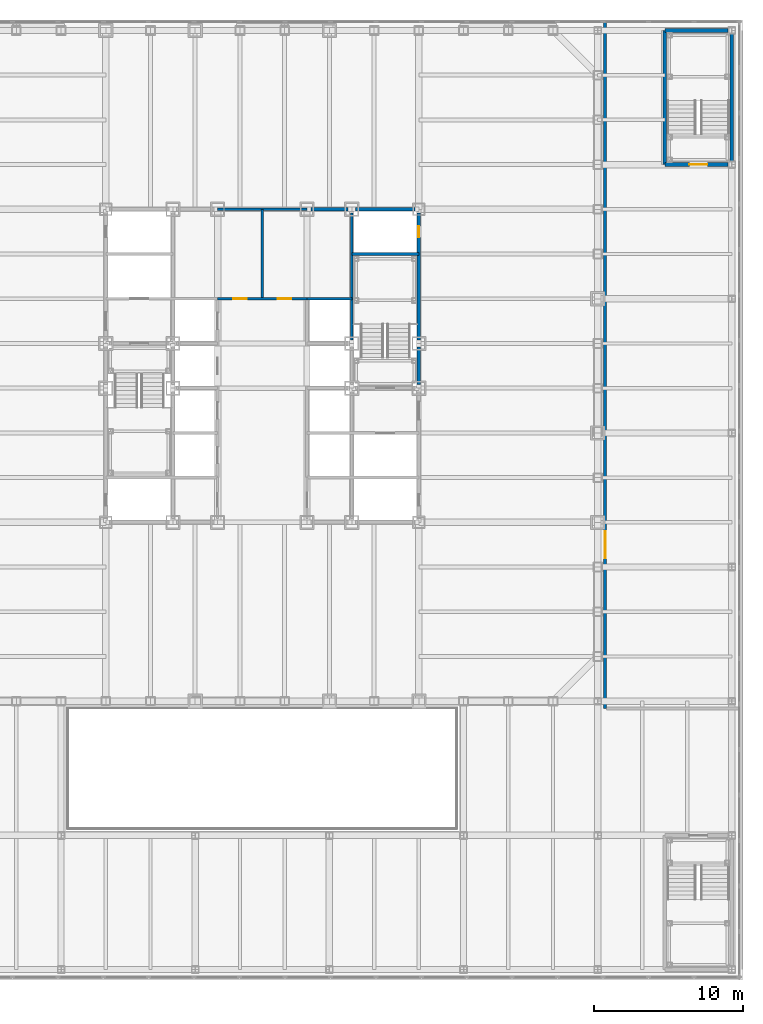
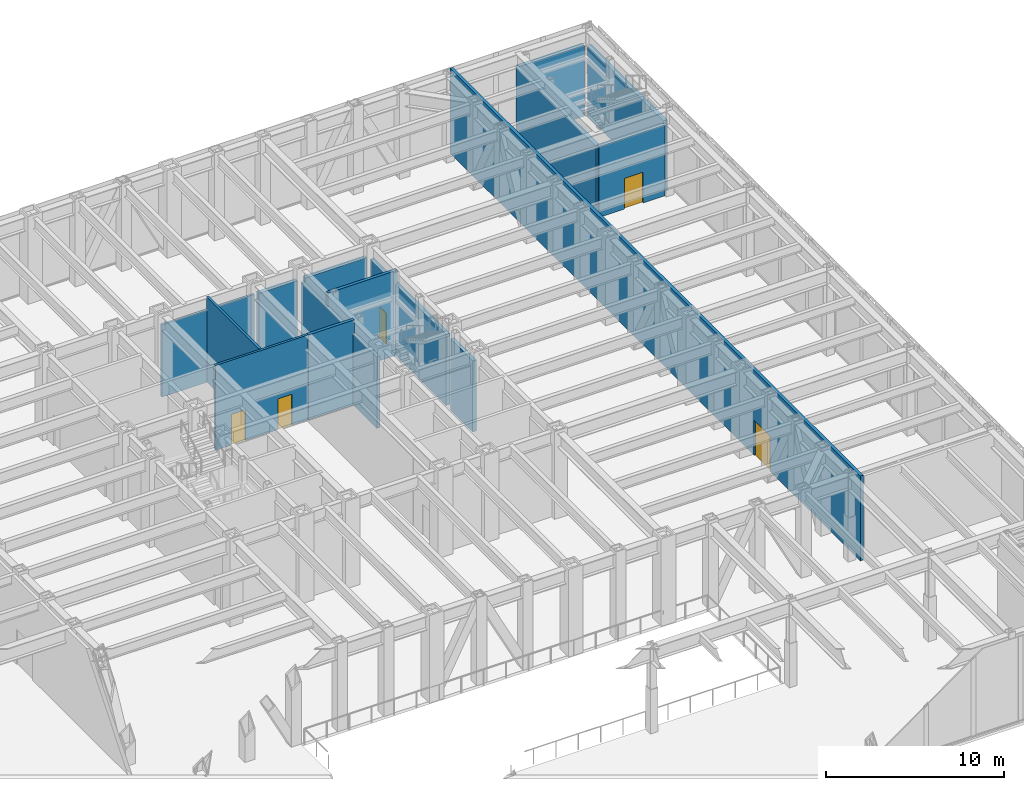
# One storey, part 17 of 32: 15 walls, 5 doors, 5 openings.
"""IFC4 building model written with IfcOpenShell, lengths in metres."""

from ifc_helpers import new_model, si_unit, direction, frame, frame_2d, origin, place, context, subcontext, project, spatial, rectangle, extrude, material, layer, layer_set, type_object, element, fill, save


model = new_model("IFC4")

# Units and contexts
model_context = context("Model", 3, precision=1e-05, world=origin(), true_north=direction((0.0, 1.0)))
body_context = subcontext(model_context, "Body", "Model", "MODEL_VIEW")
ifc_project = project(units=[si_unit("LENGTHUNIT", "METRE"), si_unit("AREAUNIT", "SQUARE_METRE"), si_unit("VOLUMEUNIT", "CUBIC_METRE"), si_unit("PLANEANGLEUNIT", "RADIAN"), si_unit("MASSUNIT", "GRAM", prefix="KILO")], contexts=[model_context])

# Site, building, storey
site_placement = place(None, origin())
site = spatial("IfcSite", under=ifc_project, at=site_placement, CompositionType="ELEMENT")
building_placement = place(site_placement, origin())
building = spatial("IfcBuilding", under=site, at=building_placement, Name="Chuquiago Exchange Tower", CompositionType="ELEMENT")
storey_placement = place(building_placement, frame((0.0, 0.0, 13.5)))
storey = spatial("IfcBuildingStorey", under=building, at=storey_placement, Name="L02", CompositionType="ELEMENT", Elevation=13.5)

# Walls
ifc_material_1 = material(Name="Concrete masonry, fully grouted", Category="masonry")
ifc_layer_1 = layer(ifc_material_1, 0.25)
ifc_layer_set_1 = layer_set([ifc_layer_1], Name="W1 core wall 250")
wall_type_1 = type_object("IfcWallType", Name="W1 core wall 250", PredefinedType="SOLIDWALL", material=ifc_layer_set_1)
wall_1_placement = place(storey_placement, frame((25.75, 33.0, 0.0), z_axis=(0.0, 0.0, 1.0), x_axis=(1.0, 0.0, 0.0)))
element("IfcWall", 1, at=wall_1_placement, inside=storey, type_object=wall_type_1, Name="CW-L02-12-0", PredefinedType="SOLIDWALL", context=body_context, shape_type="SweptSolid", body=[
    extrude(rectangle(XDim=2.5, YDim=0.25, at=frame_2d((1.25, 0.0))), origin(), (0.0, 0.0, 1.0), 4.94140625),
])
wall_2_placement = place(storey_placement, frame((28.75, 33.0, 0.0), z_axis=(0.0, 0.0, 1.0), x_axis=(1.0, 0.0, 0.0)))
element("IfcWall", 2, at=wall_2_placement, inside=storey, type_object=wall_type_1, Name="CW-L02-12-1", PredefinedType="SOLIDWALL", context=body_context, shape_type="SweptSolid", body=[
    extrude(rectangle(XDim=4.0, YDim=0.25, at=frame_2d((2.0, 0.0))), origin(), (0.0, 0.0, 1.0), 4.94140625),
])
wall_3_placement = place(storey_placement, frame((33.0, 21.25, 0.0), z_axis=(0.0, 0.0, 1.0), x_axis=(0.0, 1.0, 0.0)))
element("IfcWall", 3, at=wall_3_placement, inside=storey, type_object=wall_type_1, Name="CW-L02-25-1", PredefinedType="SOLIDWALL", context=body_context, shape_type="SweptSolid", body=[
    extrude(rectangle(XDim=2.5, YDim=0.25, at=frame_2d((1.25, 0.0))), origin(), (0.0, 0.0, 1.0), 4.872802734375),
])

# Wall, opening, door
wall_4_placement = place(storey_placement, frame((33.0, 24.25, 0.0), z_axis=(0.0, 0.0, 1.0), x_axis=(0.0, 1.0, 0.0)))
wall_4 = element("IfcWall", 4, at=wall_4_placement, inside=storey, type_object=wall_type_1, Name="CW-L02-25-2", PredefinedType="SOLIDWALL", context=body_context, shape_type="SweptSolid", body=[
    extrude(rectangle(XDim=8.5, YDim=0.25, at=frame_2d((4.25, 0.0))), origin(), (0.0, 0.0, 1.0), 4.872802734375),
])
opening_1_placement = place(wall_4_placement, frame((6.875, 0.0, 0.0)))
opening_1 = element("IfcOpeningElement", 5, at=opening_1_placement, cuts=wall_4, Name="Opening L02-010", PredefinedType="OPENING", context=body_context, shape_type="SweptSolid", body=[
    extrude(rectangle(XDim=0.75, YDim=2.10009765625, at=frame_2d((0.375, 1.050048828125))), frame((0.0, 0.135009765625, 0.0), z_axis=(0.0, -1.0, 0.0), x_axis=(1.0, 0.0, 0.0)), (0.0, 0.0, 1.0), 0.27001953125),
])
ifc_material_2 = material(Name="Steel door, painted", Category="steel")
door_type_1 = type_object("IfcDoorType", Name="D6 riser access door 750x2100", OperationType="SINGLE_SWING_LEFT", PredefinedType="DOOR", material=ifc_material_2)
door_1_placement = place(opening_1_placement, frame((0.75, 0.0, 0.0), z_axis=(0.0, 0.0, 1.0), x_axis=(-1.0, 0.0, 0.0)))
door_1 = element("IfcDoor", 6, at=door_1_placement, inside=storey, type_object=door_type_1, Name="Riser RE2 door", OperationType="SINGLE_SWING_LEFT", OverallHeight=2.10009765625, OverallWidth=0.75, PredefinedType="DOOR", context=body_context, shape_type="SweptSolid", body=[
    extrude(rectangle(XDim=0.75, YDim=2.10009765625, at=frame_2d((0.375, 1.050048828125))), frame((0.0, 0.02490234375, 0.0), z_axis=(0.0, -1.0, 0.0), x_axis=(1.0, 0.0, 0.0)), (0.0, 0.0, 1.0), 0.050048828125),
])
fill(opening_1, door_1)

ifc_material_3 = material(Name="Concrete masonry, fully grouted", Category="masonry")
ifc_layer_2 = layer(ifc_material_3, 0.25)
ifc_layer_set_2 = layer_set([ifc_layer_2], Name="W10 podium stair wall 250")
wall_type_2 = type_object("IfcWallType", Name="W10 podium stair wall 250", PredefinedType="SOLIDWALL", material=ifc_layer_set_2)
wall_5_placement = place(storey_placement, frame((49.5, 36.0, 0.0), z_axis=(0.0, 0.0, 1.0), x_axis=(1.0, 0.0, 0.0)))
wall_5 = element("IfcWall", 7, at=wall_5_placement, inside=storey, type_object=wall_type_2, Name="PSW-L02-PS4-00", PredefinedType="SOLIDWALL", context=body_context, shape_type="SweptSolid", body=[
    extrude(rectangle(XDim=4.25, YDim=0.25, at=frame_2d((2.125, 0.0))), origin(), (0.0, 0.0, 1.0), 4.8525390625),
])
opening_2_placement = place(wall_5_placement, frame((1.64990234375, 0.0, 0.0)))
opening_2 = element("IfcOpeningElement", 8, at=opening_2_placement, cuts=wall_5, Name="Opening L02-024", PredefinedType="OPENING", context=body_context, shape_type="SweptSolid", body=[
    extrude(rectangle(XDim=1.199951171875, YDim=2.10009765625, at=frame_2d((0.60009765625, 1.050048828125))), frame((0.0, 0.135009765625, 0.0), z_axis=(0.0, -1.0, 0.0), x_axis=(1.0, 0.0, 0.0)), (0.0, 0.0, 1.0), 0.27001953125),
])
ifc_material_4 = material(Name="Steel door, painted", Category="steel")
door_type_2 = type_object("IfcDoorType", Name="D4 stair door 1200x2100", OperationType="SINGLE_SWING_LEFT", PredefinedType="DOOR", material=ifc_material_4)
door_2_placement = place(opening_2_placement, origin())
door_2 = element("IfcDoor", 9, at=door_2_placement, inside=storey, type_object=door_type_2, Name="Stair PS4 door", OperationType="SINGLE_SWING_LEFT", OverallHeight=2.10009765625, OverallWidth=1.199951171875, PredefinedType="DOOR", context=body_context, shape_type="SweptSolid", body=[
    extrude(rectangle(XDim=1.199951171875, YDim=2.10009765625, at=frame_2d((0.60009765625, 1.050048828125))), frame((0.0, 0.02490234375, 0.0), z_axis=(0.0, -1.0, 0.0), x_axis=(1.0, 0.0, 0.0)), (0.0, 0.0, 1.0), 0.050048828125),
])
fill(opening_2, door_2)

# Walls
wall_6_placement = place(storey_placement, frame((54.0, 36.25, 0.0), z_axis=(0.0, 0.0, 1.0), x_axis=(0.0, 1.0, 0.0)))
element("IfcWall", 10, at=wall_6_placement, inside=storey, type_object=wall_type_2, Name="PSW-L02-PS4-10", PredefinedType="SOLIDWALL", context=body_context, shape_type="SweptSolid", body=[
    extrude(rectangle(XDim=8.5, YDim=0.25, at=frame_2d((4.25, 0.0))), origin(), (0.0, 0.0, 1.0), 4.8525390625),
])
wall_7_placement = place(storey_placement, frame((49.5, 45.0, 0.0), z_axis=(0.0, 0.0, 1.0), x_axis=(1.0, 0.0, 0.0)))
element("IfcWall", 11, at=wall_7_placement, inside=storey, type_object=wall_type_2, Name="PSW-L02-PS4-20", PredefinedType="SOLIDWALL", context=body_context, shape_type="SweptSolid", body=[
    extrude(rectangle(XDim=4.25, YDim=0.25, at=frame_2d((2.125, 0.0))), origin(), (0.0, 0.0, 1.0), 4.8525390625),
])
wall_8_placement = place(storey_placement, frame((49.5, 36.0, 0.0), z_axis=(0.0, 0.0, 1.0), x_axis=(0.0, 1.0, 0.0)))
element("IfcWall", 12, at=wall_8_placement, inside=storey, type_object=wall_type_2, Name="PSW-L02-PS4-30", PredefinedType="SOLIDWALL", context=body_context, shape_type="SweptSolid", body=[
    extrude(rectangle(XDim=9.0, YDim=0.25, at=frame_2d((4.5, 0.0))), origin(), (0.0, 0.0, 1.0), 4.8525390625),
])
ifc_material_5 = material(Name="Concrete masonry, fully grouted", Category="masonry")
ifc_layer_3 = layer(ifc_material_5, 0.199951171875)
ifc_layer_set_3 = layer_set([ifc_layer_3], Name="W2 shaft wall 200")
wall_type_3 = type_object("IfcWallType", Name="W2 shaft wall 200", PredefinedType="SOLIDWALL", material=ifc_layer_set_3)
wall_9_placement = place(storey_placement, frame((25.5, 27.0, 0.0), z_axis=(0.0, 0.0, 1.0), x_axis=(1.0, 0.0, 0.0)))
element("IfcWall", 13, at=wall_9_placement, inside=storey, type_object=wall_type_3, Name="CW-L02-08-0", PredefinedType="SOLIDWALL", context=body_context, shape_type="SweptSolid", body=[
    extrude(rectangle(XDim=3.0, YDim=0.199951171875, at=frame_2d((1.5, 0.0))), origin(), (0.0, 0.0, 1.0), 5.800048828125),
])
wall_10_placement = place(storey_placement, frame((28.5, 30.0, 0.0), z_axis=(0.0, 0.0, 1.0), x_axis=(1.0, 0.0, 0.0)))
element("IfcWall", 14, at=wall_10_placement, inside=storey, type_object=wall_type_3, Name="CW-L02-10-0", PredefinedType="SOLIDWALL", context=body_context, shape_type="SweptSolid", body=[
    extrude(rectangle(XDim=4.5, YDim=0.199951171875, at=frame_2d((2.25, 0.0))), origin(), (0.0, 0.0, 1.0), 5.800048828125),
])
wall_11_placement = place(storey_placement, frame((28.5, 24.25, 0.0), z_axis=(0.0, 0.0, 1.0), x_axis=(0.0, 1.0, 0.0)))
element("IfcWall", 15, at=wall_11_placement, inside=storey, type_object=wall_type_3, Name="CW-L02-24-2", PredefinedType="SOLIDWALL", context=body_context, shape_type="SweptSolid", body=[
    extrude(rectangle(XDim=8.5, YDim=0.199951171875, at=frame_2d((4.25, 0.0))), origin(), (0.0, 0.0, 1.0), 4.872802734375),
])

# Wall, openings, doors
ifc_material_6 = material(Name="Gypsum board on steel studs", Category="steel")
ifc_layer_4 = layer(ifc_material_6, 0.14990234375)
ifc_layer_set_4 = layer_set([ifc_layer_4], Name="W3 core partition 150")
wall_type_4 = type_object("IfcWallType", Name="W3 core partition 150", PredefinedType="PARTITIONING", material=ifc_layer_set_4)
wall_12_placement = place(storey_placement, frame((19.5, 27.0, 0.0), z_axis=(0.0, 0.0, 1.0), x_axis=(1.0, 0.0, 0.0)))
wall_12 = element("IfcWall", 16, at=wall_12_placement, inside=storey, type_object=wall_type_4, Name="CW-L02-TF", PredefinedType="PARTITIONING", context=body_context, shape_type="SweptSolid", body=[
    extrude(rectangle(XDim=6.0, YDim=0.14990234375, at=frame_2d((3.0, 0.0))), origin(), (0.0, 0.0, 1.0), 5.800048828125),
])
opening_3_placement = place(wall_12_placement, frame((1.050048828125, 0.0, 0.0)))
opening_3 = element("IfcOpeningElement", 17, at=opening_3_placement, cuts=wall_12, Name="Opening L02-011", PredefinedType="OPENING", context=body_context, shape_type="SweptSolid", body=[
    extrude(rectangle(XDim=0.89990234375, YDim=2.10009765625, at=frame_2d((0.449951171875, 1.050048828125))), frame((0.0, 0.0849609375, 0.0), z_axis=(0.0, -1.0, 0.0), x_axis=(1.0, 0.0, 0.0)), (0.0, 0.0, 1.0), 0.169921875),
])
opening_4_placement = place(wall_12_placement, frame((4.050048828125, 0.0, 0.0)))
opening_4 = element("IfcOpeningElement", 18, at=opening_4_placement, cuts=wall_12, Name="Opening L02-012", PredefinedType="OPENING", context=body_context, shape_type="SweptSolid", body=[
    extrude(rectangle(XDim=0.89990234375, YDim=2.10009765625, at=frame_2d((0.449951171875, 1.050048828125))), frame((0.0, 0.0849609375, 0.0), z_axis=(0.0, -1.0, 0.0), x_axis=(1.0, 0.0, 0.0)), (0.0, 0.0, 1.0), 0.169921875),
])
ifc_material_7 = material(Name="Timber door, laminate faced", Category="wood")
door_type_3 = type_object("IfcDoorType", Name="D7 toilet door 900x2100", OperationType="SINGLE_SWING_LEFT", PredefinedType="DOOR", material=ifc_material_7)
door_3_placement = place(opening_3_placement, origin())
door_3 = element("IfcDoor", 19, at=door_3_placement, inside=storey, type_object=door_type_3, Name="Male WC door", OperationType="SINGLE_SWING_RIGHT", OverallHeight=2.10009765625, OverallWidth=0.89990234375, PredefinedType="DOOR", context=body_context, shape_type="SweptSolid", body=[
    extrude(rectangle(XDim=0.89990234375, YDim=2.10009765625, at=frame_2d((0.449951171875, 1.050048828125))), frame((0.0, 0.02490234375, 0.0), z_axis=(0.0, -1.0, 0.0), x_axis=(1.0, 0.0, 0.0)), (0.0, 0.0, 1.0), 0.050048828125),
])
fill(opening_3, door_3)
door_4_placement = place(opening_4_placement, origin())
door_4 = element("IfcDoor", 20, at=door_4_placement, inside=storey, type_object=door_type_3, Name="Female WC door", OperationType="SINGLE_SWING_LEFT", OverallHeight=2.10009765625, OverallWidth=0.89990234375, PredefinedType="DOOR", context=body_context, shape_type="SweptSolid", body=[
    extrude(rectangle(XDim=0.89990234375, YDim=2.10009765625, at=frame_2d((0.449951171875, 1.050048828125))), frame((0.0, 0.02490234375, 0.0), z_axis=(0.0, -1.0, 0.0), x_axis=(1.0, 0.0, 0.0)), (0.0, 0.0, 1.0), 0.050048828125),
])
fill(opening_4, door_4)

# Walls
wall_13_placement = place(storey_placement, frame((22.5, 27.0, 0.0), z_axis=(0.0, 0.0, 1.0), x_axis=(0.0, 1.0, 0.0)))
element("IfcWall", 21, at=wall_13_placement, inside=storey, type_object=wall_type_4, Name="CW-L02-TM", PredefinedType="PARTITIONING", context=body_context, shape_type="SweptSolid", body=[
    extrude(rectangle(XDim=6.0, YDim=0.14990234375, at=frame_2d((3.0, 0.0))), origin(), (0.0, 0.0, 1.0), 5.800048828125),
])
wall_14_placement = place(storey_placement, frame((19.5, 33.0, 0.0), z_axis=(0.0, 0.0, 1.0), x_axis=(1.0, 0.0, 0.0)))
element("IfcWall", 22, at=wall_14_placement, inside=storey, type_object=wall_type_4, Name="CW-L02-TB", PredefinedType="PARTITIONING", context=body_context, shape_type="SweptSolid", body=[
    extrude(rectangle(XDim=6.0, YDim=0.14990234375, at=frame_2d((3.0, 0.0))), origin(), (0.0, 0.0, 1.0), 4.94140625),
])

# Wall, opening, door
ifc_material_8 = material(Name="Gypsum board on steel studs, double layer", Category="steel")
ifc_layer_5 = layer(ifc_material_8, 0.199951171875)
ifc_layer_set_5 = layer_set([ifc_layer_5], Name="W6 wing partition 200")
wall_type_5 = type_object("IfcWallType", Name="W6 wing partition 200", PredefinedType="PARTITIONING", material=ifc_layer_set_5)
wall_15_placement = place(storey_placement, frame((45.5, -0.5, 0.0), z_axis=(0.0, 0.0, 1.0), x_axis=(0.0, 1.0, 0.0)))
wall_15 = element("IfcWall", 23, at=wall_15_placement, inside=storey, type_object=wall_type_5, Name="WW-L02-E", PredefinedType="PARTITIONING", context=body_context, shape_type="SweptSolid", body=[
    extrude(rectangle(XDim=46.017578125, YDim=0.199951171875, at=frame_2d((23.0087890625, 0.0))), origin(), (0.0, 0.0, 1.0), 5.800048828125),
])
opening_5_placement = place(wall_15_placement, frame((10.10009765625, 0.0, 0.0)))
opening_5 = element("IfcOpeningElement", 24, at=opening_5_placement, cuts=wall_15, Name="Opening L02-020", PredefinedType="OPENING", context=body_context, shape_type="SweptSolid", body=[
    extrude(rectangle(XDim=1.800048828125, YDim=2.39990234375, at=frame_2d((0.89990234375, 1.199951171875))), frame((0.0, 0.10986328125, 0.0), z_axis=(0.0, -1.0, 0.0), x_axis=(1.0, 0.0, 0.0)), (0.0, 0.0, 1.0), 0.219970703125),
])
ifc_material_9 = material(Name="Timber door, laminate faced", Category="wood")
door_type_4 = type_object("IfcDoorType", Name="D10 double door 1800x2400", OperationType="DOUBLE_DOOR_DOUBLE_SWING", PredefinedType="DOOR", material=ifc_material_9)
door_5_placement = place(opening_5_placement, origin())
door_5 = element("IfcDoor", 25, at=door_5_placement, inside=storey, type_object=door_type_4, Name="Conference room door", OperationType="DOUBLE_DOOR_DOUBLE_SWING", OverallHeight=2.39990234375, OverallWidth=1.800048828125, PredefinedType="DOOR", context=body_context, shape_type="SweptSolid", body=[
    extrude(rectangle(XDim=1.800048828125, YDim=2.39990234375, at=frame_2d((0.89990234375, 1.199951171875))), frame((0.0, 0.02490234375, 0.0), z_axis=(0.0, -1.0, 0.0), x_axis=(1.0, 0.0, 0.0)), (0.0, 0.0, 1.0), 0.050048828125),
])
fill(opening_5, door_5)

save(model, "model.ifc")
